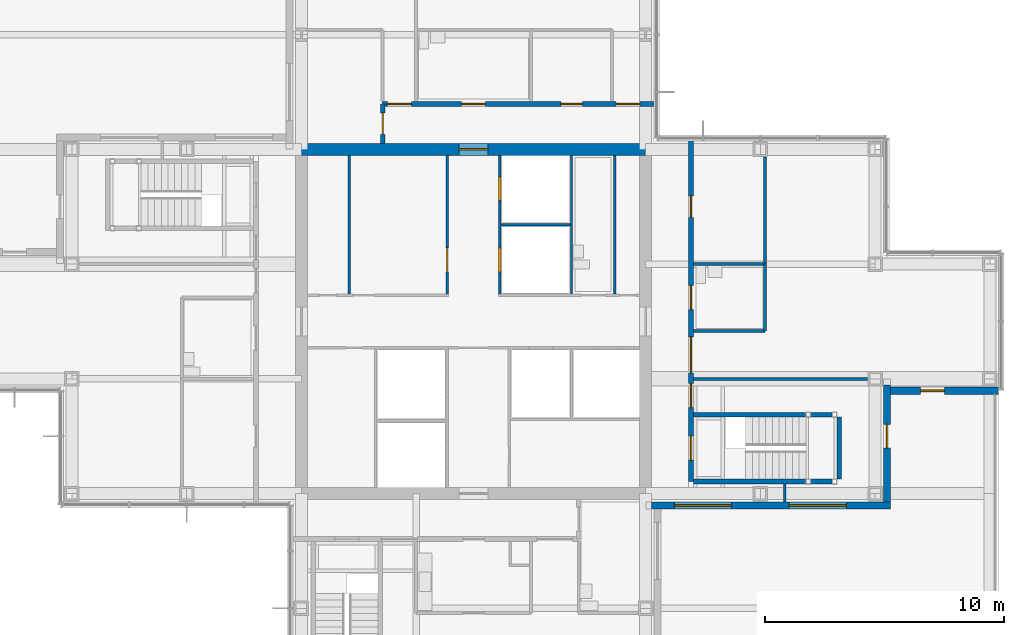
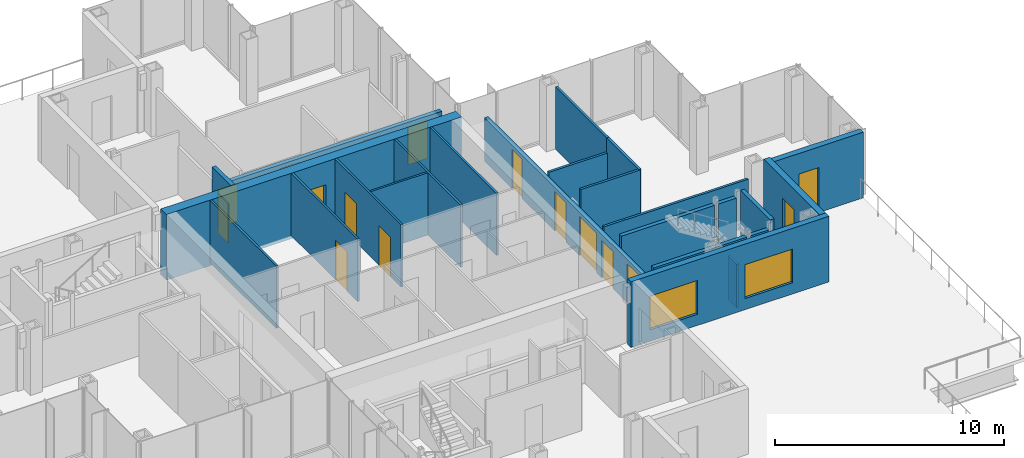
# One storey, part 13 of 17: 24 walls, 16 doors, 2 windows, 18 openings.
"""IFC4 building model written with IfcOpenShell, lengths in metres."""

from ifc_helpers import new_model, si_unit, direction, frame, frame_2d, origin, place, context, subcontext, project, spatial, rectangle, extrude, material, layer, layer_set, type_object, element, fill, save


model = new_model("IFC4")

# Units and contexts
model_context = context("Model", 3, precision=1e-05, world=origin(), true_north=direction((0.0, 1.0)))
body_context = subcontext(model_context, "Body", "Model", "MODEL_VIEW")
ifc_project = project(units=[si_unit("LENGTHUNIT", "METRE"), si_unit("AREAUNIT", "SQUARE_METRE"), si_unit("VOLUMEUNIT", "CUBIC_METRE"), si_unit("PLANEANGLEUNIT", "RADIAN"), si_unit("MASSUNIT", "GRAM", prefix="KILO")], contexts=[model_context])

# Site, building, storey
site_placement = place(None, origin())
site = spatial("IfcSite", under=ifc_project, at=site_placement, CompositionType="ELEMENT")
building_placement = place(site_placement, origin())
building = spatial("IfcBuilding", under=site, at=building_placement, Name="Kvirike Care Tower", CompositionType="ELEMENT")
storey_placement = place(building_placement, frame((0.0, 0.0, 141.0)))
storey = spatial("IfcBuildingStorey", under=building, at=storey_placement, Name="L38", CompositionType="ELEMENT", Elevation=141.0)

# Wall, opening, door
ifc_material_1 = material(Name="Concrete C45/55", Category="concrete")
ifc_layer_1 = layer(ifc_material_1, 0.5)
ifc_layer_set_1 = layer_set([ifc_layer_1], Name="CORE WALL 500 C45-55")
wall_type_1 = type_object("IfcWallType", Name="CORE WALL 500 C45-55", PredefinedType="SHEAR", material=ifc_layer_set_1)
wall_1_placement = place(storey_placement, frame((29.050048828125, 43.199951171875, -0.169921875), z_axis=(0.0, 0.0, 1.0), x_axis=(-1.0, 0.0, 0.0)))
wall_1 = element("IfcWall", 1, at=wall_1_placement, inside=storey, type_object=wall_type_1, Name="Core wall N L38", PredefinedType="SHEAR", context=body_context, shape_type="SweptSolid", body=[
    extrude(rectangle(XDim=14.900146484375, YDim=0.5, at=frame_2d((7.4501953125, 0.0))), origin(), (0.0, 0.0, 1.0), 3.5),
])
opening_1_placement = place(wall_1_placement, frame((6.85009765625, 0.0, 0.169921875)))
opening_1 = element("IfcOpeningElement", 2, at=opening_1_placement, cuts=wall_1, Name="Opening 38-039", PredefinedType="OPENING", context=body_context, shape_type="SweptSolid", body=[
    extrude(rectangle(XDim=1.199951171875, YDim=2.10009765625, at=frame_2d((0.60009765625, 1.050048828125))), frame((0.0, 0.260498046875, 0.0), z_axis=(0.0, -1.0, 0.0), x_axis=(1.0, 0.0, 0.0)), (0.0, 0.0, 1.0), 0.52099609375),
])
ifc_material_2 = material(Name="Timber door set", Category="wood")
door_type_1 = type_object("IfcDoorType", Name="CORE DOOR 1200", OperationType="SINGLE_SWING_LEFT", PredefinedType="DOOR", material=ifc_material_2)
door_1_placement = place(opening_1_placement, origin())
door_1 = element("IfcDoor", 3, at=door_1_placement, inside=storey, type_object=door_type_1, Name="Core door N L38", OperationType="SINGLE_SWING_LEFT", OverallHeight=2.10009765625, OverallWidth=1.199951171875, PredefinedType="DOOR", context=body_context, shape_type="SweptSolid", body=[
    extrude(rectangle(XDim=1.199951171875, YDim=2.10009765625, at=frame_2d((0.60009765625, 1.050048828125))), frame((0.0, 0.02685546875, 0.0), z_axis=(0.0, -1.0, 0.0), x_axis=(1.0, 0.0, 0.0)), (0.0, 0.0, 1.0), 0.053955078125),
])
fill(opening_1, door_1)

# Wall, openings, doors
ifc_material_3 = material(Name="Plasterboard corridor wall", Category="gypsum")
ifc_layer_2 = layer(ifc_material_3, 0.199951171875)
ifc_layer_set_2 = layer_set([ifc_layer_2], Name="CORRIDOR WALL 200")
wall_type_2 = type_object("IfcWallType", Name="CORRIDOR WALL 200", PredefinedType="PARTITIONING", material=ifc_layer_set_2)
wall_2_placement = place(storey_placement, frame((29.25, 45.10009765625, 0.0), z_axis=(0.0, 0.0, 1.0), x_axis=(-1.0, 0.0, 0.0)))
wall_2 = element("IfcWall", 4, at=wall_2_placement, inside=storey, type_object=wall_type_2, Name="Corridor Wall 200 L38", PredefinedType="PARTITIONING", context=body_context, shape_type="SweptSolid", body=[
    extrude(rectangle(XDim=11.449951171875, YDim=0.199951171875, at=frame_2d((5.72509765625, 0.0))), origin(), (0.0, 0.0, 1.0), 2.320068359375),
])
opening_2_placement = place(wall_2_placement, frame((0.68994140625, 0.0, 0.0)))
opening_2 = element("IfcOpeningElement", 5, at=opening_2_placement, cuts=wall_2, Name="Opening 38-011", PredefinedType="OPENING", context=body_context, shape_type="SweptSolid", body=[
    extrude(rectangle(XDim=1.0, YDim=2.0, at=frame_2d((0.5, 1.0))), frame((0.0, 0.110595703125, 0.0), z_axis=(0.0, -1.0, 0.0), x_axis=(1.0, 0.0, 0.0)), (0.0, 0.0, 1.0), 0.220947265625),
])
opening_3_placement = place(wall_2_placement, frame((10.25, 0.0, 0.0)))
opening_3 = element("IfcOpeningElement", 6, at=opening_3_placement, cuts=wall_2, Name="Opening 38-012", PredefinedType="OPENING", context=body_context, shape_type="SweptSolid", body=[
    extrude(rectangle(XDim=1.0, YDim=2.0, at=frame_2d((0.5, 1.0))), frame((0.0, 0.110595703125, 0.0), z_axis=(0.0, -1.0, 0.0), x_axis=(1.0, 0.0, 0.0)), (0.0, 0.0, 1.0), 0.220947265625),
])
opening_4_placement = place(wall_2_placement, frame((3.10009765625, 0.0, 0.0)))
opening_4 = element("IfcOpeningElement", 7, at=opening_4_placement, cuts=wall_2, Name="Opening 38-013", PredefinedType="OPENING", context=body_context, shape_type="SweptSolid", body=[
    extrude(rectangle(XDim=0.89990234375, YDim=2.10009765625, at=frame_2d((0.449951171875, 1.050048828125))), frame((0.0, 0.110595703125, 0.0), z_axis=(0.0, -1.0, 0.0), x_axis=(1.0, 0.0, 0.0)), (0.0, 0.0, 1.0), 0.220947265625),
])
opening_5_placement = place(wall_2_placement, frame((7.14990234375, 0.0, 0.0)))
opening_5 = element("IfcOpeningElement", 8, at=opening_5_placement, cuts=wall_2, Name="Opening 38-014", PredefinedType="OPENING", context=body_context, shape_type="SweptSolid", body=[
    extrude(rectangle(XDim=1.0, YDim=2.10009765625, at=frame_2d((0.5, 1.050048828125))), frame((0.0, 0.110595703125, 0.0), z_axis=(0.0, -1.0, 0.0), x_axis=(1.0, 0.0, 0.0)), (0.0, 0.0, 1.0), 0.220947265625),
])
ifc_material_4 = material(Name="Timber door set", Category="wood")
door_type_2 = type_object("IfcDoorType", Name="CONSULTING ROOM DOOR 1000 x 2000", OperationType="SINGLE_SWING_LEFT", PredefinedType="DOOR", material=ifc_material_4)
door_2_placement = place(opening_2_placement, frame((1.0, 0.0, 0.0), z_axis=(0.0, 0.0, 1.0), x_axis=(-1.0, 0.0, 0.0)))
door_2 = element("IfcDoor", 9, at=door_2_placement, inside=storey, type_object=door_type_2, Name="Activity and craft room door", OperationType="SINGLE_SWING_RIGHT", OverallHeight=2.0, OverallWidth=1.0, PredefinedType="DOOR", context=body_context, shape_type="SweptSolid", body=[
    extrude(rectangle(XDim=1.0, YDim=2.0, at=frame_2d((0.5, 1.0))), frame((0.0, 0.02685546875, 0.0), z_axis=(0.0, -1.0, 0.0), x_axis=(1.0, 0.0, 0.0)), (0.0, 0.0, 1.0), 0.053955078125),
])
fill(opening_2, door_2)
door_3_placement = place(opening_3_placement, frame((1.0, 0.0, 0.0), z_axis=(0.0, 0.0, 1.0), x_axis=(-1.0, 0.0, 0.0)))
door_3 = element("IfcDoor", 10, at=door_3_placement, inside=storey, type_object=door_type_2, Name="Family visiting room door", OperationType="SINGLE_SWING_LEFT", OverallHeight=2.0, OverallWidth=1.0, PredefinedType="DOOR", context=body_context, shape_type="SweptSolid", body=[
    extrude(rectangle(XDim=1.0, YDim=2.0, at=frame_2d((0.5, 1.0))), frame((0.0, 0.02685546875, 0.0), z_axis=(0.0, -1.0, 0.0), x_axis=(1.0, 0.0, 0.0)), (0.0, 0.0, 1.0), 0.053955078125),
])
fill(opening_3, door_3)
ifc_material_5 = material(Name="Timber door set", Category="wood")
door_type_3 = type_object("IfcDoorType", Name="STORE DOOR 900", OperationType="SINGLE_SWING_LEFT", PredefinedType="DOOR", material=ifc_material_5)
door_4_placement = place(opening_4_placement, frame((0.89990234375, 0.0, 0.0), z_axis=(0.0, 0.0, 1.0), x_axis=(-1.0, 0.0, 0.0)))
door_4 = element("IfcDoor", 11, at=door_4_placement, inside=storey, type_object=door_type_3, Name="Craft store door", OperationType="SINGLE_SWING_LEFT", OverallHeight=2.10009765625, OverallWidth=0.89990234375, PredefinedType="DOOR", context=body_context, shape_type="SweptSolid", body=[
    extrude(rectangle(XDim=0.89990234375, YDim=2.10009765625, at=frame_2d((0.449951171875, 1.050048828125))), frame((0.0, 0.02685546875, 0.0), z_axis=(0.0, -1.0, 0.0), x_axis=(1.0, 0.0, 0.0)), (0.0, 0.0, 1.0), 0.053955078125),
])
fill(opening_4, door_4)
ifc_material_6 = material(Name="Timber door set", Category="wood")
door_type_4 = type_object("IfcDoorType", Name="WC DOOR 1000", OperationType="SINGLE_SWING_LEFT", PredefinedType="DOOR", material=ifc_material_6)
door_5_placement = place(opening_5_placement, frame((1.0, 0.0, 0.0), z_axis=(0.0, 0.0, 1.0), x_axis=(-1.0, 0.0, 0.0)))
door_5 = element("IfcDoor", 12, at=door_5_placement, inside=storey, type_object=door_type_4, Name="Accessible WC door", OperationType="SINGLE_SWING_LEFT", OverallHeight=2.10009765625, OverallWidth=1.0, PredefinedType="DOOR", context=body_context, shape_type="SweptSolid", body=[
    extrude(rectangle(XDim=1.0, YDim=2.10009765625, at=frame_2d((0.5, 1.050048828125))), frame((0.0, 0.02685546875, 0.0), z_axis=(0.0, -1.0, 0.0), x_axis=(1.0, 0.0, 0.0)), (0.0, 0.0, 1.0), 0.053955078125),
])
fill(opening_5, door_5)

wall_3_placement = place(storey_placement, frame((30.699951171875, 29.300048828125, 0.0), z_axis=(0.0, 0.0, 1.0), x_axis=(0.0, 1.0, 0.0)))
wall_3 = element("IfcWall", 13, at=wall_3_placement, inside=storey, type_object=wall_type_2, Name="Corridor Wall 200 L38", PredefinedType="PARTITIONING", context=body_context, shape_type="SweptSolid", body=[
    extrude(rectangle(XDim=14.349853515625, YDim=0.199951171875, at=frame_2d((7.1748046875, 0.0))), origin(), (0.0, 0.0, 1.0), 2.320068359375),
])
opening_6_placement = place(wall_3_placement, frame((0.89990234375, 0.0, 0.0)))
opening_6 = element("IfcOpeningElement", 14, at=opening_6_placement, cuts=wall_3, Name="Opening 38-015", PredefinedType="OPENING", context=body_context, shape_type="SweptSolid", body=[
    extrude(rectangle(XDim=1.0, YDim=2.10009765625, at=frame_2d((0.5, 1.050048828125))), frame((0.0, 0.110595703125, 0.0), z_axis=(0.0, -1.0, 0.0), x_axis=(1.0, 0.0, 0.0)), (0.0, 0.0, 1.0), 0.220947265625),
])
opening_7_placement = place(wall_3_placement, frame((3.10009765625, 0.0, 0.0)))
opening_7 = element("IfcOpeningElement", 15, at=opening_7_placement, cuts=wall_3, Name="Opening 38-016", PredefinedType="OPENING", context=body_context, shape_type="SweptSolid", body=[
    extrude(rectangle(XDim=1.0, YDim=2.0, at=frame_2d((0.5, 1.0))), frame((0.0, 0.110595703125, 0.0), z_axis=(0.0, -1.0, 0.0), x_axis=(1.0, 0.0, 0.0)), (0.0, 0.0, 1.0), 0.220947265625),
])
opening_8_placement = place(wall_3_placement, frame((4.550048828125, 0.0, 0.0)))
opening_8 = element("IfcOpeningElement", 16, at=opening_8_placement, cuts=wall_3, Name="Opening 38-017", PredefinedType="OPENING", context=body_context, shape_type="SweptSolid", body=[
    extrude(rectangle(XDim=1.5, YDim=2.10009765625, at=frame_2d((0.75, 1.050048828125))), frame((0.0, 0.110595703125, 0.0), z_axis=(0.0, -1.0, 0.0), x_axis=(1.0, 0.0, 0.0)), (0.0, 0.0, 1.0), 0.220947265625),
])
opening_9_placement = place(wall_3_placement, frame((7.199951171875, 0.0, 0.0)))
opening_9 = element("IfcOpeningElement", 17, at=opening_9_placement, cuts=wall_3, Name="Opening 38-018", PredefinedType="OPENING", context=body_context, shape_type="SweptSolid", body=[
    extrude(rectangle(XDim=1.0, YDim=2.10009765625, at=frame_2d((0.5, 1.050048828125))), frame((0.0, 0.110595703125, 0.0), z_axis=(0.0, -1.0, 0.0), x_axis=(1.0, 0.0, 0.0)), (0.0, 0.0, 1.0), 0.220947265625),
])
opening_10_placement = place(wall_3_placement, frame((11.050048828125, 0.0, 0.0)))
opening_10 = element("IfcOpeningElement", 18, at=opening_10_placement, cuts=wall_3, Name="Opening 38-019", PredefinedType="OPENING", context=body_context, shape_type="SweptSolid", body=[
    extrude(rectangle(XDim=0.89990234375, YDim=2.10009765625, at=frame_2d((0.449951171875, 1.050048828125))), frame((0.0, 0.110595703125, 0.0), z_axis=(0.0, -1.0, 0.0), x_axis=(1.0, 0.0, 0.0)), (0.0, 0.0, 1.0), 0.220947265625),
])
door_6_placement = place(opening_7_placement, frame((1.0, 0.0, 0.0), z_axis=(0.0, 0.0, 1.0), x_axis=(-1.0, 0.0, 0.0)))
door_6 = element("IfcDoor", 19, at=door_6_placement, inside=storey, type_object=door_type_2, Name="Staff office door", OperationType="SINGLE_SWING_LEFT", OverallHeight=2.0, OverallWidth=1.0, PredefinedType="DOOR", context=body_context, shape_type="SweptSolid", body=[
    extrude(rectangle(XDim=1.0, YDim=2.0, at=frame_2d((0.5, 1.0))), frame((0.0, 0.02685546875, 0.0), z_axis=(0.0, -1.0, 0.0), x_axis=(1.0, 0.0, 0.0)), (0.0, 0.0, 1.0), 0.053955078125),
])
fill(opening_7, door_6)
ifc_material_7 = material(Name="Timber door set", Category="wood")
door_type_5 = type_object("IfcDoorType", Name="DINING ROOM DOOR 1500", OperationType="DOUBLE_DOOR_SINGLE_SWING", PredefinedType="DOOR", material=ifc_material_7)
door_7_placement = place(opening_8_placement, frame((1.5, 0.0, 0.0), z_axis=(0.0, 0.0, 1.0), x_axis=(-1.0, 0.0, 0.0)))
door_7 = element("IfcDoor", 20, at=door_7_placement, inside=storey, type_object=door_type_5, Name="Residents lounge door", OperationType="DOUBLE_DOOR_SINGLE_SWING", OverallHeight=2.10009765625, OverallWidth=1.5, PredefinedType="DOOR", context=body_context, shape_type="SweptSolid", body=[
    extrude(rectangle(XDim=1.5, YDim=2.10009765625, at=frame_2d((0.75, 1.050048828125))), frame((0.0, 0.02685546875, 0.0), z_axis=(0.0, -1.0, 0.0), x_axis=(1.0, 0.0, 0.0)), (0.0, 0.0, 1.0), 0.053955078125),
])
fill(opening_8, door_7)
ifc_material_8 = material(Name="Timber door set", Category="wood")
door_type_6 = type_object("IfcDoorType", Name="STAIR DOOR 1000", OperationType="SINGLE_SWING_LEFT", PredefinedType="DOOR", material=ifc_material_8)
door_8_placement = place(opening_6_placement, frame((1.0, 0.0, 0.0), z_axis=(0.0, 0.0, 1.0), x_axis=(-1.0, 0.0, 0.0)))
door_8 = element("IfcDoor", 21, at=door_8_placement, inside=storey, type_object=door_type_6, Name="Stair 2 door", OperationType="SINGLE_SWING_RIGHT", OverallHeight=2.10009765625, OverallWidth=1.0, PredefinedType="DOOR", context=body_context, shape_type="SweptSolid", body=[
    extrude(rectangle(XDim=1.0, YDim=2.10009765625, at=frame_2d((0.5, 1.050048828125))), frame((0.0, 0.031982421875, 0.0), z_axis=(0.0, -1.0, 0.0), x_axis=(1.0, 0.0, 0.0)), (0.0, 0.0, 1.0), 0.06396484375),
])
fill(opening_6, door_8)
door_9_placement = place(opening_10_placement, frame((0.89990234375, 0.0, 0.0), z_axis=(0.0, 0.0, 1.0), x_axis=(-1.0, 0.0, 0.0)))
door_9 = element("IfcDoor", 22, at=door_9_placement, inside=storey, type_object=door_type_3, Name="Lounge store door", OperationType="SINGLE_SWING_LEFT", OverallHeight=2.10009765625, OverallWidth=0.89990234375, PredefinedType="DOOR", context=body_context, shape_type="SweptSolid", body=[
    extrude(rectangle(XDim=0.89990234375, YDim=2.10009765625, at=frame_2d((0.449951171875, 1.050048828125))), frame((0.0, 0.02685546875, 0.0), z_axis=(0.0, -1.0, 0.0), x_axis=(1.0, 0.0, 0.0)), (0.0, 0.0, 1.0), 0.053955078125),
])
fill(opening_10, door_9)
door_10_placement = place(opening_9_placement, frame((1.0, 0.0, 0.0), z_axis=(0.0, 0.0, 1.0), x_axis=(-1.0, 0.0, 0.0)))
door_10 = element("IfcDoor", 23, at=door_10_placement, inside=storey, type_object=door_type_4, Name="Accessible WC door", OperationType="SINGLE_SWING_RIGHT", OverallHeight=2.10009765625, OverallWidth=1.0, PredefinedType="DOOR", context=body_context, shape_type="SweptSolid", body=[
    extrude(rectangle(XDim=1.0, YDim=2.10009765625, at=frame_2d((0.5, 1.050048828125))), frame((0.0, 0.02685546875, 0.0), z_axis=(0.0, -1.0, 0.0), x_axis=(1.0, 0.0, 0.0)), (0.0, 0.0, 1.0), 0.053955078125),
])
fill(opening_9, door_10)

# Wall, opening, door
wall_4_placement = place(storey_placement, frame((17.800048828125, 45.10009765625, 0.0), z_axis=(0.0, 0.0, 1.0), x_axis=(0.0, -1.0, 0.0)))
wall_4 = element("IfcWall", 24, at=wall_4_placement, inside=storey, type_object=wall_type_2, Name="Corridor Wall 200 L38", PredefinedType="PARTITIONING", context=body_context, shape_type="SweptSolid", body=[
    extrude(rectangle(XDim=1.650146484375, YDim=0.199951171875, at=frame_2d((0.8251953125, 0.0))), origin(), (0.0, 0.0, 1.0), 3.330078125),
])
opening_11_placement = place(wall_4_placement, frame((0.375, 0.0, 0.0)))
opening_11 = element("IfcOpeningElement", 25, at=opening_11_placement, cuts=wall_4, Name="Opening 38-035", PredefinedType="OPENING", context=body_context, shape_type="SweptSolid", body=[
    extrude(rectangle(XDim=0.89990234375, YDim=2.10009765625, at=frame_2d((0.449951171875, 1.050048828125))), frame((0.0, 0.110595703125, 0.0), z_axis=(0.0, -1.0, 0.0), x_axis=(1.0, 0.0, 0.0)), (0.0, 0.0, 1.0), 0.220947265625),
])
door_11_placement = place(opening_11_placement, frame((0.89990234375, 0.0, 0.0), z_axis=(0.0, 0.0, 1.0), x_axis=(-1.0, 0.0, 0.0)))
door_11 = element("IfcDoor", 26, at=door_11_placement, inside=storey, type_object=door_type_3, Name="Cleaners store door", OperationType="SINGLE_SWING_RIGHT", OverallHeight=2.10009765625, OverallWidth=0.89990234375, PredefinedType="DOOR", context=body_context, shape_type="SweptSolid", body=[
    extrude(rectangle(XDim=0.89990234375, YDim=2.10009765625, at=frame_2d((0.449951171875, 1.050048828125))), frame((0.0, 0.02685546875, 0.0), z_axis=(0.0, -1.0, 0.0), x_axis=(1.0, 0.0, 0.0)), (0.0, 0.0, 1.0), 0.053955078125),
])
fill(opening_11, door_11)

# Walls
ifc_material_9 = material(Name="Plasterboard partition", Category="gypsum")
ifc_layer_3 = layer(ifc_material_9, 0.1201171875)
ifc_layer_set_3 = layer_set([ifc_layer_3], Name="PARTITION 120")
wall_type_3 = type_object("IfcWallType", Name="PARTITION 120", PredefinedType="PARTITIONING", material=ifc_layer_set_3)
wall_5_placement = place(storey_placement, frame((33.800048828125, 35.60009765625, 0.0), z_axis=(0.0, 0.0, 1.0), x_axis=(-1.0, 0.0, 0.0)))
element("IfcWall", 27, at=wall_5_placement, inside=storey, type_object=wall_type_3, Name="Partition 120 L38", PredefinedType="PARTITIONING", context=body_context, shape_type="SweptSolid", body=[
    extrude(rectangle(XDim=3.0, YDim=0.1201171875, at=frame_2d((1.5, 0.0))), origin(), (0.0, 0.0, 1.0), 3.330078125),
])
wall_6_placement = place(storey_placement, frame((33.800048828125, 35.60009765625, 0.0), z_axis=(0.0, 0.0, 1.0), x_axis=(0.0, 1.0, 0.0)))
element("IfcWall", 28, at=wall_6_placement, inside=storey, type_object=wall_type_3, Name="Partition 120 L38", PredefinedType="PARTITIONING", context=body_context, shape_type="SweptSolid", body=[
    extrude(rectangle(XDim=2.7998046875, YDim=0.1201171875, at=frame_2d((1.39990234375, 0.0))), origin(), (0.0, 0.0, 1.0), 3.330078125),
])
wall_7_placement = place(storey_placement, frame((33.800048828125, 38.39990234375, 0.0), z_axis=(0.0, 0.0, 1.0), x_axis=(-1.0, 0.0, 0.0)))
element("IfcWall", 29, at=wall_7_placement, inside=storey, type_object=wall_type_3, Name="Partition 120 L38", PredefinedType="PARTITIONING", context=body_context, shape_type="SweptSolid", body=[
    extrude(rectangle(XDim=3.0, YDim=0.1201171875, at=frame_2d((1.5, 0.0))), origin(), (0.0, 0.0, 1.0), 2.550048828125),
])
wall_8_placement = place(storey_placement, frame((33.800048828125, 38.39990234375, 0.0), z_axis=(0.0, 0.0, 1.0), x_axis=(0.0, 1.0, 0.0)))
element("IfcWall", 30, at=wall_8_placement, inside=storey, type_object=wall_type_3, Name="Partition 120 L38", PredefinedType="PARTITIONING", context=body_context, shape_type="SweptSolid", body=[
    extrude(rectangle(XDim=4.47998046875, YDim=0.1201171875, at=frame_2d((2.239990234375, 0.0))), origin(), (0.0, 0.0, 1.0), 3.330078125),
])
wall_9_placement = place(storey_placement, frame((38.080078125, 33.60009765625, 0.0), z_axis=(0.0, 0.0, 1.0), x_axis=(-1.0, 0.0, 0.0)))
element("IfcWall", 31, at=wall_9_placement, inside=storey, type_object=wall_type_3, Name="Partition 120 L38", PredefinedType="PARTITIONING", context=body_context, shape_type="SweptSolid", body=[
    extrude(rectangle(XDim=7.280029296875, YDim=0.1201171875, at=frame_2d((3.64013671875, 0.0))), origin(), (0.0, 0.0, 1.0), 2.550048828125),
])
wall_10_placement = place(storey_placement, frame((34.6201171875, 28.449951171875, 0.0), z_axis=(0.0, 0.0, 1.0), x_axis=(0.0, 1.0, 0.0)))
element("IfcWall", 32, at=wall_10_placement, inside=storey, type_object=wall_type_3, Name="Partition 120 L38", PredefinedType="PARTITIONING", context=body_context, shape_type="SweptSolid", body=[
    extrude(rectangle(XDim=0.75, YDim=0.1201171875, at=frame_2d((0.375, 0.0))), origin(), (0.0, 0.0, 1.0), 2.320068359375),
])
ifc_material_10 = material(Name="Gypsum shaft wall system", Category="gypsum")
ifc_layer_4 = layer(ifc_material_10, 0.10009765625)
ifc_layer_set_4 = layer_set([ifc_layer_4], Name="SHAFT WALL 100")
wall_type_4 = type_object("IfcWallType", Name="SHAFT WALL 100", PredefinedType="SOLIDWALL", material=ifc_layer_set_4)
for number, where, z_axis, x_axis, name in (
    (33, (16.39990234375, 37.14990234375, 0.0), (0.0, 0.0, 1.0), (0.0, 1.0, 0.0), "Shaft Wall 100 L38"),
    (34, (27.5, 37.14990234375, 0.0), (0.0, 0.0, 1.0), (0.0, 1.0, 0.0), "Shaft Wall 100 L38"),
):
    element("IfcWall", number, at=place(storey_placement, frame(where, z_axis=z_axis, x_axis=x_axis)), inside=storey, type_object=wall_type_4, Name=name, PredefinedType="SOLIDWALL", context=body_context, shape_type="SweptSolid", body=[
        extrude(rectangle(XDim=5.800048828125, YDim=0.10009765625, at=frame_2d((2.89990234375, 0.0))), origin(), (0.0, 0.0, 1.0), 3.330078125),
    ])

# Wall, opening, door
wall_11_placement = place(storey_placement, frame((20.5, 37.14990234375, 0.0), z_axis=(0.0, 0.0, 1.0), x_axis=(0.0, 1.0, 0.0)))
wall_11 = element("IfcWall", 35, at=wall_11_placement, inside=storey, type_object=wall_type_4, Name="Shaft Wall 100 L38", PredefinedType="SOLIDWALL", context=body_context, shape_type="SweptSolid", body=[
    extrude(rectangle(XDim=5.800048828125, YDim=0.10009765625, at=frame_2d((2.89990234375, 0.0))), origin(), (0.0, 0.0, 1.0), 3.330078125),
])
opening_12_placement = place(wall_11_placement, frame((0.925048828125, 0.0, 0.0)))
opening_12 = element("IfcOpeningElement", 36, at=opening_12_placement, cuts=wall_11, Name="Opening 38-022", PredefinedType="OPENING", context=body_context, shape_type="SweptSolid", body=[
    extrude(rectangle(XDim=1.0, YDim=2.10009765625, at=frame_2d((0.5, 1.050048828125))), frame((0.0, 0.060546875, 0.0), z_axis=(0.0, -1.0, 0.0), x_axis=(1.0, 0.0, 0.0)), (0.0, 0.0, 1.0), 0.12109375),
])
door_12_placement = place(opening_12_placement, origin())
door_12 = element("IfcDoor", 37, at=door_12_placement, inside=storey, type_object=door_type_4, Name="Staff WC door", OperationType="SINGLE_SWING_RIGHT", OverallHeight=2.10009765625, OverallWidth=1.0, PredefinedType="DOOR", context=body_context, shape_type="SweptSolid", body=[
    extrude(rectangle(XDim=1.0, YDim=2.10009765625, at=frame_2d((0.5, 1.050048828125))), frame((0.0, 0.02685546875, 0.0), z_axis=(0.0, -1.0, 0.0), x_axis=(1.0, 0.0, 0.0)), (0.0, 0.0, 1.0), 0.053955078125),
])
fill(opening_12, door_12)

# Wall, openings, doors
wall_12_placement = place(storey_placement, frame((22.699951171875, 37.14990234375, 0.0), z_axis=(0.0, 0.0, 1.0), x_axis=(0.0, 1.0, 0.0)))
wall_12 = element("IfcWall", 38, at=wall_12_placement, inside=storey, type_object=wall_type_4, Name="Shaft Wall 100 L38", PredefinedType="SOLIDWALL", context=body_context, shape_type="SweptSolid", body=[
    extrude(rectangle(XDim=5.800048828125, YDim=0.10009765625, at=frame_2d((2.89990234375, 0.0))), origin(), (0.0, 0.0, 1.0), 3.330078125),
])
opening_13_placement = place(wall_12_placement, frame((0.925048828125, 0.0, 0.0)))
opening_13 = element("IfcOpeningElement", 39, at=opening_13_placement, cuts=wall_12, Name="Opening 38-023", PredefinedType="OPENING", context=body_context, shape_type="SweptSolid", body=[
    extrude(rectangle(XDim=1.0, YDim=2.10009765625, at=frame_2d((0.5, 1.050048828125))), frame((0.0, 0.060546875, 0.0), z_axis=(0.0, -1.0, 0.0), x_axis=(1.0, 0.0, 0.0)), (0.0, 0.0, 1.0), 0.12109375),
])
opening_14_placement = place(wall_12_placement, frame((3.89990234375, 0.0, 0.0)))
opening_14 = element("IfcOpeningElement", 40, at=opening_14_placement, cuts=wall_12, Name="Opening 38-024", PredefinedType="OPENING", context=body_context, shape_type="SweptSolid", body=[
    extrude(rectangle(XDim=1.0, YDim=2.10009765625, at=frame_2d((0.5, 1.050048828125))), frame((0.0, 0.060546875, 0.0), z_axis=(0.0, -1.0, 0.0), x_axis=(1.0, 0.0, 0.0)), (0.0, 0.0, 1.0), 0.12109375),
])
ifc_material_11 = material(Name="Aluminium door frame", Category="aluminium")
door_type_7 = type_object("IfcDoorType", Name="LIFT LANDING DOOR 1000", OperationType="SLIDING_TO_LEFT", PredefinedType="DOOR", material=ifc_material_11)
door_13_placement = place(opening_13_placement, origin())
door_13 = element("IfcDoor", 41, at=door_13_placement, inside=storey, type_object=door_type_7, Name="Lift P3 landing door", OperationType="SLIDING_TO_LEFT", OverallHeight=2.10009765625, OverallWidth=1.0, PredefinedType="DOOR", context=body_context, shape_type="SweptSolid", body=[
    extrude(rectangle(XDim=1.0, YDim=2.10009765625, at=frame_2d((0.5, 1.050048828125))), frame((0.0, 0.0498046875, 0.0), z_axis=(0.0, -1.0, 0.0), x_axis=(1.0, 0.0, 0.0)), (0.0, 0.0, 1.0), 0.099609375),
])
fill(opening_13, door_13)
door_14_placement = place(opening_14_placement, origin())
door_14 = element("IfcDoor", 42, at=door_14_placement, inside=storey, type_object=door_type_7, Name="Lift P4 landing door", OperationType="SLIDING_TO_LEFT", OverallHeight=2.10009765625, OverallWidth=1.0, PredefinedType="DOOR", context=body_context, shape_type="SweptSolid", body=[
    extrude(rectangle(XDim=1.0, YDim=2.10009765625, at=frame_2d((0.5, 1.050048828125))), frame((0.0, 0.0498046875, 0.0), z_axis=(0.0, -1.0, 0.0), x_axis=(1.0, 0.0, 0.0)), (0.0, 0.0, 1.0), 0.099609375),
])
fill(opening_14, door_14)

# Walls
wall_13_placement = place(storey_placement, frame((22.75, 40.050048828125, 0.0), z_axis=(0.0, 0.0, 1.0), x_axis=(1.0, 0.0, 0.0)))
element("IfcWall", 43, at=wall_13_placement, inside=storey, type_object=wall_type_4, Name="Shaft Wall 100 L38", PredefinedType="SOLIDWALL", context=body_context, shape_type="SweptSolid", body=[
    extrude(rectangle(XDim=2.89990234375, YDim=0.10009765625, at=frame_2d((1.449951171875, 0.0))), origin(), (0.0, 0.0, 1.0), 3.330078125),
])
wall_14_placement = place(storey_placement, frame((25.699951171875, 37.14990234375, 0.0), z_axis=(0.0, 0.0, 1.0), x_axis=(0.0, 1.0, 0.0)))
element("IfcWall", 44, at=wall_14_placement, inside=storey, type_object=wall_type_4, Name="Shaft Wall 100 L38", PredefinedType="SOLIDWALL", context=body_context, shape_type="SweptSolid", body=[
    extrude(rectangle(XDim=5.800048828125, YDim=0.10009765625, at=frame_2d((2.89990234375, 0.0))), origin(), (0.0, 0.0, 1.0), 3.330078125),
])
ifc_material_12 = material(Name="Concrete C40/50", Category="concrete")
ifc_layer_5 = layer(ifc_material_12, 0.199951171875)
ifc_layer_set_5 = layer_set([ifc_layer_5], Name="STAIR WALL 200")
wall_type_5 = type_object("IfcWallType", Name="STAIR WALL 200", PredefinedType="SOLIDWALL", material=ifc_layer_set_5)
wall_15_placement = place(storey_placement, frame((36.60009765625, 29.300048828125, 0.0), z_axis=(0.0, 0.0, 1.0), x_axis=(-1.0, 0.0, 0.0)))
element("IfcWall", 45, at=wall_15_placement, inside=storey, type_object=wall_type_5, Name="Stair Wall 200 L38", PredefinedType="SOLIDWALL", context=body_context, shape_type="SweptSolid", body=[
    extrude(rectangle(XDim=0.900146484375, YDim=0.199951171875, at=frame_2d((0.4501953125, 0.0))), origin(), (0.0, 0.0, 1.0), 2.989990234375),
])
wall_16_placement = place(storey_placement, frame((35.5, 29.300048828125, 0.0), z_axis=(0.0, 0.0, 1.0), x_axis=(-1.0, 0.0, 0.0)))
element("IfcWall", 46, at=wall_16_placement, inside=storey, type_object=wall_type_5, Name="Stair Wall 200 L38", PredefinedType="SOLIDWALL", context=body_context, shape_type="SweptSolid", body=[
    extrude(rectangle(XDim=4.699951171875, YDim=0.199951171875, at=frame_2d((2.35009765625, 0.0))), origin(), (0.0, 0.0, 1.0), 2.989990234375),
])
wall_17_placement = place(storey_placement, frame((36.60009765625, 32.10009765625, 0.0), z_axis=(0.0, 0.0, 1.0), x_axis=(-1.0, 0.0, 0.0)))
element("IfcWall", 47, at=wall_17_placement, inside=storey, type_object=wall_type_5, Name="Stair Wall 200 L38", PredefinedType="SOLIDWALL", context=body_context, shape_type="SweptSolid", body=[
    extrude(rectangle(XDim=0.900146484375, YDim=0.199951171875, at=frame_2d((0.4501953125, 0.0))), origin(), (0.0, 0.0, 1.0), 2.989990234375),
])
wall_18_placement = place(storey_placement, frame((35.5, 32.10009765625, 0.0), z_axis=(0.0, 0.0, 1.0), x_axis=(-1.0, 0.0, 0.0)))
element("IfcWall", 48, at=wall_18_placement, inside=storey, type_object=wall_type_5, Name="Stair Wall 200 L38", PredefinedType="SOLIDWALL", context=body_context, shape_type="SweptSolid", body=[
    extrude(rectangle(XDim=4.699951171875, YDim=0.199951171875, at=frame_2d((2.35009765625, 0.0))), origin(), (0.0, 0.0, 1.0), 2.989990234375),
])
wall_19_placement = place(storey_placement, frame((36.89990234375, 29.39990234375, 0.0), z_axis=(0.0, 0.0, 1.0), x_axis=(0.0, 1.0, 0.0)))
element("IfcWall", 49, at=wall_19_placement, inside=storey, type_object=wall_type_5, Name="Stair Wall 200 L38", PredefinedType="SOLIDWALL", context=body_context, shape_type="SweptSolid", body=[
    extrude(rectangle(XDim=2.60009765625, YDim=0.199951171875, at=frame_2d((1.300048828125, 0.0))), origin(), (0.0, 0.0, 1.0), 3.330078125),
])

# Wall, openings, windows
ifc_material_13 = material(Name="Bronze-clad insulated blockwork wall", Category="masonry")
ifc_layer_6 = layer(ifc_material_13, 0.300048828125)
ifc_layer_set_6 = layer_set([ifc_layer_6], Name="TERRACE WALL 300")
wall_type_6 = type_object("IfcWallType", Name="TERRACE WALL 300", PredefinedType="SOLIDWALL", material=ifc_layer_set_6)
wall_20_placement = place(storey_placement, frame((29.050048828125, 28.300048828125, 0.0), z_axis=(0.0, 0.0, 1.0), x_axis=(1.0, 0.0, 0.0)))
wall_20 = element("IfcWall", 50, at=wall_20_placement, inside=storey, type_object=wall_type_6, Name="Terrace wall L38 face 1", PredefinedType="SOLIDWALL", context=body_context, shape_type="SweptSolid", body=[
    extrude(rectangle(XDim=10.0, YDim=0.300048828125, at=frame_2d((5.0, 0.0))), origin(), (0.0, 0.0, 1.0), 3.5),
])
opening_15_placement = place(wall_20_placement, frame((0.949951171875, 0.0, 0.60009765625)))
opening_15 = element("IfcOpeningElement", 51, at=opening_15_placement, cuts=wall_20, Name="Opening W01", PredefinedType="OPENING", context=body_context, shape_type="SweptSolid", body=[
    extrude(rectangle(XDim=2.39990234375, YDim=1.800048828125, at=frame_2d((1.199951171875, 0.89990234375))), frame((0.0, 0.16064453125, 0.0), z_axis=(0.0, -1.0, 0.0), x_axis=(1.0, 0.0, 0.0)), (0.0, 0.0, 1.0), 0.321044921875),
])
opening_16_placement = place(wall_20_placement, frame((5.75, 0.0, 0.60009765625)))
opening_16 = element("IfcOpeningElement", 52, at=opening_16_placement, cuts=wall_20, Name="Opening W01", PredefinedType="OPENING", context=body_context, shape_type="SweptSolid", body=[
    extrude(rectangle(XDim=2.39990234375, YDim=1.800048828125, at=frame_2d((1.199951171875, 0.89990234375))), frame((0.0, 0.16064453125, 0.0), z_axis=(0.0, -1.0, 0.0), x_axis=(1.0, 0.0, 0.0)), (0.0, 0.0, 1.0), 0.321044921875),
])
ifc_material_14 = material(Name="Bronze anodised aluminium window", Category="aluminium")
window_type = type_object("IfcWindowType", Name="TERRACE WINDOW 2400", PartitioningType="SINGLE_PANEL", PredefinedType="WINDOW", material=ifc_material_14)
window_1_placement = place(opening_15_placement, origin())
window_1 = element("IfcWindow", 53, at=window_1_placement, inside=storey, type_object=window_type, Name="Terrace Window 2400 L38", OverallHeight=1.800048828125, OverallWidth=2.39990234375, PartitioningType="SINGLE_PANEL", PredefinedType="WINDOW", context=body_context, shape_type="SweptSolid", body=[
    extrude(rectangle(XDim=2.39990234375, YDim=1.800048828125, at=frame_2d((1.199951171875, 0.89990234375))), frame((0.0, 0.030029296875, 0.0), z_axis=(0.0, -1.0, 0.0), x_axis=(1.0, 0.0, 0.0)), (0.0, 0.0, 1.0), 0.06005859375),
])
fill(opening_15, window_1)
window_2_placement = place(opening_16_placement, origin())
window_2 = element("IfcWindow", 54, at=window_2_placement, inside=storey, type_object=window_type, Name="Terrace Window 2400 L38", OverallHeight=1.800048828125, OverallWidth=2.39990234375, PartitioningType="SINGLE_PANEL", PredefinedType="WINDOW", context=body_context, shape_type="SweptSolid", body=[
    extrude(rectangle(XDim=2.39990234375, YDim=1.800048828125, at=frame_2d((1.199951171875, 0.89990234375))), frame((0.0, 0.030029296875, 0.0), z_axis=(0.0, -1.0, 0.0), x_axis=(1.0, 0.0, 0.0)), (0.0, 0.0, 1.0), 0.06005859375),
])
fill(opening_16, window_2)

# Wall, opening, door
wall_21_placement = place(storey_placement, frame((38.89990234375, 28.449951171875, 0.0), z_axis=(0.0, 0.0, 1.0), x_axis=(0.0, 1.0, 0.0)))
wall_21 = element("IfcWall", 55, at=wall_21_placement, inside=storey, type_object=wall_type_6, Name="Terrace wall L38 face 2", PredefinedType="SOLIDWALL", context=body_context, shape_type="SweptSolid", body=[
    extrude(rectangle(XDim=4.900146484375, YDim=0.300048828125, at=frame_2d((2.4501953125, 0.0))), origin(), (0.0, 0.0, 1.0), 3.5),
])
opening_17_placement = place(wall_21_placement, frame((2.25, 0.0, 0.0)))
opening_17 = element("IfcOpeningElement", 56, at=opening_17_placement, cuts=wall_21, Name="Opening 38-801", PredefinedType="OPENING", context=body_context, shape_type="SweptSolid", body=[
    extrude(rectangle(XDim=1.0, YDim=2.39990234375, at=frame_2d((0.5, 1.199951171875))), frame((0.0, 0.16064453125, 0.0), z_axis=(0.0, -1.0, 0.0), x_axis=(1.0, 0.0, 0.0)), (0.0, 0.0, 1.0), 0.321044921875),
])
ifc_material_15 = material(Name="Aluminium door frame", Category="aluminium")
door_type_8 = type_object("IfcDoorType", Name="TERRACE DOOR 1000", OperationType="SINGLE_SWING_LEFT", PredefinedType="DOOR", material=ifc_material_15)
door_15_placement = place(opening_17_placement, origin())
door_15 = element("IfcDoor", 57, at=door_15_placement, inside=storey, type_object=door_type_8, Name="Staff office terrace door", OperationType="SINGLE_SWING_LEFT", OverallHeight=2.39990234375, OverallWidth=1.0, PredefinedType="DOOR", context=body_context, shape_type="SweptSolid", body=[
    extrude(rectangle(XDim=1.0, YDim=2.39990234375, at=frame_2d((0.5, 1.199951171875))), frame((0.0, 0.03515625, 0.0), z_axis=(0.0, -1.0, 0.0), x_axis=(1.0, 0.0, 0.0)), (0.0, 0.0, 1.0), 0.070068359375),
])
fill(opening_17, door_15)

wall_22_placement = place(storey_placement, frame((39.050048828125, 33.10009765625, 0.0), z_axis=(0.0, 0.0, 1.0), x_axis=(1.0, 0.0, 0.0)))
wall_22 = element("IfcWall", 58, at=wall_22_placement, inside=storey, type_object=wall_type_6, Name="Terrace wall L38 face 3", PredefinedType="SOLIDWALL", context=body_context, shape_type="SweptSolid", body=[
    extrude(rectangle(XDim=4.5, YDim=0.300048828125, at=frame_2d((2.25, 0.0))), origin(), (0.0, 0.0, 1.0), 3.5),
])
opening_18_placement = place(wall_22_placement, frame((1.25, 0.0, 0.0)))
opening_18 = element("IfcOpeningElement", 59, at=opening_18_placement, cuts=wall_22, Name="Opening 38-802", PredefinedType="OPENING", context=body_context, shape_type="SweptSolid", body=[
    extrude(rectangle(XDim=1.0, YDim=2.39990234375, at=frame_2d((0.5, 1.199951171875))), frame((0.0, 0.16064453125, 0.0), z_axis=(0.0, -1.0, 0.0), x_axis=(1.0, 0.0, 0.0)), (0.0, 0.0, 1.0), 0.321044921875),
])
door_16_placement = place(opening_18_placement, origin())
door_16 = element("IfcDoor", 60, at=door_16_placement, inside=storey, type_object=door_type_8, Name="Residents lounge terrace door", OperationType="SINGLE_SWING_LEFT", OverallHeight=2.39990234375, OverallWidth=1.0, PredefinedType="DOOR", context=body_context, shape_type="SweptSolid", body=[
    extrude(rectangle(XDim=1.0, YDim=2.39990234375, at=frame_2d((0.5, 1.199951171875))), frame((0.0, 0.03515625, 0.0), z_axis=(0.0, -1.0, 0.0), x_axis=(1.0, 0.0, 0.0)), (0.0, 0.0, 1.0), 0.070068359375),
])
fill(opening_18, door_16)

save(model, "model.ifc")
